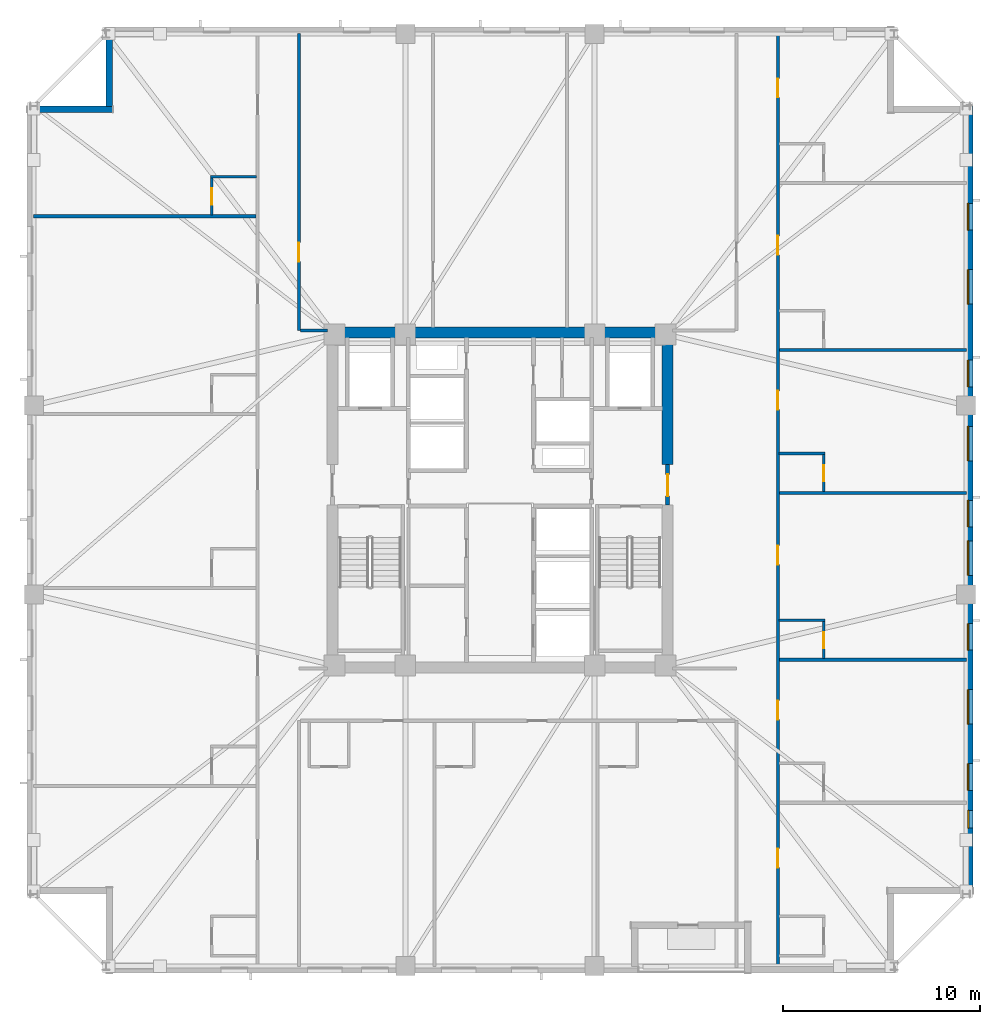
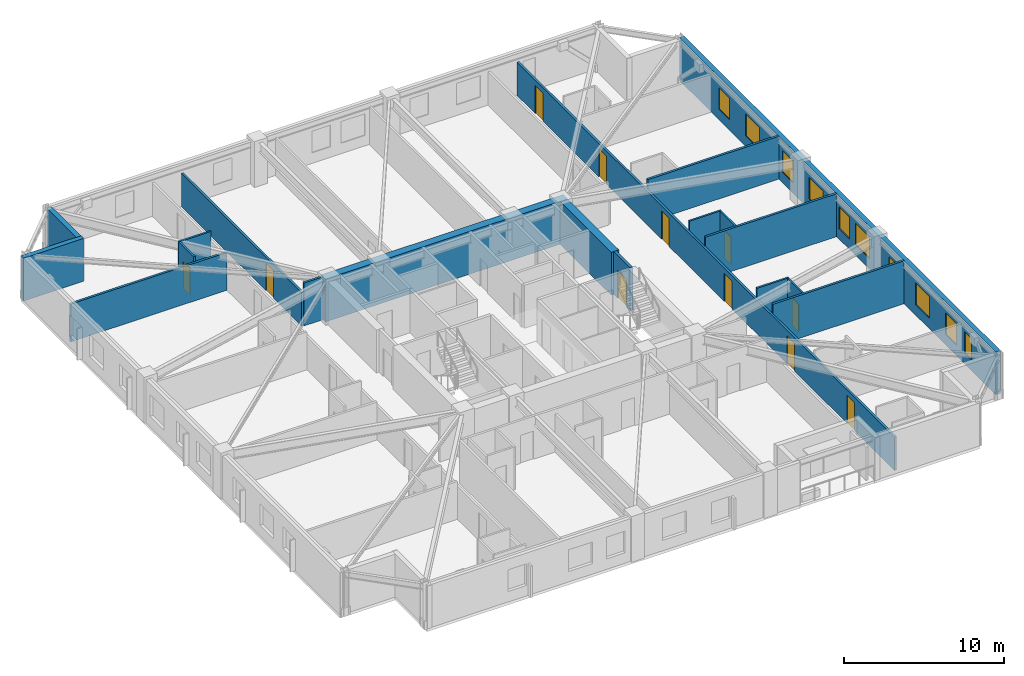
# One storey, part 5 of 11: 19 walls, 11 doors, 10 windows, 21 openings.
"""IFC4 building model written with IfcOpenShell, lengths in metres."""

from ifc_helpers import new_model, si_unit, direction, frame, frame_2d, origin, place, context, subcontext, project, spatial, rectangle, extrude, material, layer, layer_set, type_object, element, fill, save


model = new_model("IFC4")

# Units and contexts
model_context = context("Model", 3, precision=1e-05, world=origin(), true_north=direction((0.0, 1.0)))
body_context = subcontext(model_context, "Body", "Model", "MODEL_VIEW")
ifc_project = project(units=[si_unit("LENGTHUNIT", "METRE"), si_unit("AREAUNIT", "SQUARE_METRE"), si_unit("VOLUMEUNIT", "CUBIC_METRE"), si_unit("PLANEANGLEUNIT", "RADIAN"), si_unit("MASSUNIT", "GRAM", prefix="KILO")], contexts=[model_context])

# Site, building, storey
site_placement = place(None, origin())
site = spatial("IfcSite", under=ifc_project, at=site_placement, CompositionType="ELEMENT")
building_placement = place(site_placement, origin())
building = spatial("IfcBuilding", under=site, at=building_placement, Name="Cairnveth Concourse Tower", CompositionType="ELEMENT")
storey_placement = place(building_placement, frame((0.0, 0.0, 169.0)))
storey = spatial("IfcBuildingStorey", under=building, at=storey_placement, Name="L46", CompositionType="ELEMENT", Elevation=169.0)

# Wall, opening, door
ifc_material_1 = material(Name="Gypsum Plasterboard Partition", Category="gypsum")
ifc_layer_1 = layer(ifc_material_1, 0.159912109375)
ifc_layer_set_1 = layer_set([ifc_layer_1], Name="Gypsum Plasterboard Partition")
wall_type_1 = type_object("IfcWallType", Name="ACOUSTIC PARTY WALL 180", PredefinedType="PARTITIONING", material=ifc_layer_set_1)
wall_1_placement = place(storey_placement, frame((41.800048828125, 47.60009765625, 0.0), z_axis=(0.0, 0.0, 1.0), x_axis=(0.0, 1.0, 0.0)))
wall_1 = element("IfcWall", 1, at=wall_1_placement, inside=storey, type_object=wall_type_1, Name="Interior Wall IW-L46-039", PredefinedType="PARTITIONING", context=body_context, shape_type="SweptSolid", body=[
    extrude(rectangle(XDim=15.074951171875, YDim=0.159912109375, at=frame_2d((7.53759765625, 0.0))), origin(), (0.0, 0.0, 1.0), 2.554931640625),
])
opening_1_placement = place(wall_1_placement, frame((3.5, 0.0, 0.0)))
opening_1 = element("IfcOpeningElement", 2, at=opening_1_placement, cuts=wall_1, Name="Opening ID11", PredefinedType="OPENING", context=body_context, shape_type="SweptSolid", body=[
    extrude(rectangle(XDim=0.9599609375, YDim=2.1201171875, at=frame_2d((0.47998046875, 1.06005859375))), frame((0.0, 0.08984375, 0.0), z_axis=(0.0, -1.0, 0.0), x_axis=(1.0, 0.0, 0.0)), (0.0, 0.0, 1.0), 0.179931640625),
])
ifc_material_2 = material(Name="Solid Core Hardwood Timber Leaf", Category="wood")
door_type_1 = type_object("IfcDoorType", Name="INTERIOR SINGLE DOOR 960X2150", OperationType="NOTDEFINED", PredefinedType="DOOR", material=ifc_material_2)
door_1_placement = place(opening_1_placement, origin())
door_1 = element("IfcDoor", 3, at=door_1_placement, inside=storey, type_object=door_type_1, Name="Interior Door DR-L46-016", OperationType="SINGLE_SWING_RIGHT", OverallHeight=2.1201171875, OverallWidth=0.9599609375, PredefinedType="DOOR", context=body_context, shape_type="SweptSolid", body=[
    extrude(rectangle(XDim=0.9599609375, YDim=2.1201171875, at=frame_2d((0.47998046875, 1.06005859375))), frame((0.0, 0.02490234375, 0.0), z_axis=(0.0, -1.0, 0.0), x_axis=(1.0, 0.0, 0.0)), (0.0, 0.0, 1.0), 0.050048828125),
])
fill(opening_1, door_1)

# Wall
wall_2_placement = place(storey_placement, frame((41.864990234375, 47.60009765625, 0.0), z_axis=(0.0, 0.0, 1.0), x_axis=(1.0, 0.0, 0.0)))
element("IfcWall", 4, at=wall_2_placement, inside=storey, type_object=wall_type_1, Name="Interior Wall IW-L46-041", PredefinedType="PARTITIONING", context=body_context, shape_type="SweptSolid", body=[
    extrude(rectangle(XDim=1.3701171875, YDim=0.159912109375, at=frame_2d((0.68505859375, 0.0))), origin(), (0.0, 0.0, 1.0), 3.280029296875),
])

# Wall, openings, doors
wall_3_placement = place(storey_placement, frame((66.10009765625, 15.324951171875, 0.0), z_axis=(0.0, 0.0, 1.0), x_axis=(0.0, 1.0, 0.0)))
wall_3 = element("IfcWall", 5, at=wall_3_placement, inside=storey, type_object=wall_type_1, Name="Interior Wall IW-L46-042", PredefinedType="PARTITIONING", context=body_context, shape_type="SweptSolid", body=[
    extrude(rectangle(XDim=47.35009765625, YDim=0.159912109375, at=frame_2d((23.675048828125, 0.0))), origin(), (0.0, 0.0, 1.0), 2.554931640625),
])
opening_2_placement = place(wall_3_placement, frame((5.024658203125, 0.0, 0.0)))
opening_2 = element("IfcOpeningElement", 6, at=opening_2_placement, cuts=wall_3, Name="Opening ID09", PredefinedType="OPENING", context=body_context, shape_type="SweptSolid", body=[
    extrude(rectangle(XDim=0.9599609375, YDim=2.14990234375, at=frame_2d((0.47998046875, 1.074951171875))), frame((0.0, 0.08984375, 0.0), z_axis=(0.0, -1.0, 0.0), x_axis=(1.0, 0.0, 0.0)), (0.0, 0.0, 1.0), 0.179931640625),
])
opening_3_placement = place(wall_3_placement, frame((12.535400390625, 0.0, 0.0)))
opening_3 = element("IfcOpeningElement", 7, at=opening_3_placement, cuts=wall_3, Name="Opening ID09", PredefinedType="OPENING", context=body_context, shape_type="SweptSolid", body=[
    extrude(rectangle(XDim=0.9599609375, YDim=2.14990234375, at=frame_2d((0.47998046875, 1.074951171875))), frame((0.0, 0.08984375, 0.0), z_axis=(0.0, -1.0, 0.0), x_axis=(1.0, 0.0, 0.0)), (0.0, 0.0, 1.0), 0.179931640625),
])
opening_4_placement = place(wall_3_placement, frame((20.395263671875, 0.0, 0.0)))
opening_4 = element("IfcOpeningElement", 8, at=opening_4_placement, cuts=wall_3, Name="Opening ID09", PredefinedType="OPENING", context=body_context, shape_type="SweptSolid", body=[
    extrude(rectangle(XDim=0.9599609375, YDim=2.14990234375, at=frame_2d((0.47998046875, 1.074951171875))), frame((0.0, 0.08984375, 0.0), z_axis=(0.0, -1.0, 0.0), x_axis=(1.0, 0.0, 0.0)), (0.0, 0.0, 1.0), 0.179931640625),
])
opening_5_placement = place(wall_3_placement, frame((28.255126953125, 0.0, 0.0)))
opening_5 = element("IfcOpeningElement", 9, at=opening_5_placement, cuts=wall_3, Name="Opening ID09", PredefinedType="OPENING", context=body_context, shape_type="SweptSolid", body=[
    extrude(rectangle(XDim=0.9599609375, YDim=2.14990234375, at=frame_2d((0.47998046875, 1.074951171875))), frame((0.0, 0.08984375, 0.0), z_axis=(0.0, -1.0, 0.0), x_axis=(1.0, 0.0, 0.0)), (0.0, 0.0, 1.0), 0.179931640625),
])
opening_6_placement = place(wall_3_placement, frame((36.115234375, 0.0, 0.0)))
opening_6 = element("IfcOpeningElement", 10, at=opening_6_placement, cuts=wall_3, Name="Opening ID09", PredefinedType="OPENING", context=body_context, shape_type="SweptSolid", body=[
    extrude(rectangle(XDim=0.9599609375, YDim=2.14990234375, at=frame_2d((0.47998046875, 1.074951171875))), frame((0.0, 0.08984375, 0.0), z_axis=(0.0, -1.0, 0.0), x_axis=(1.0, 0.0, 0.0)), (0.0, 0.0, 1.0), 0.179931640625),
])
opening_7_placement = place(wall_3_placement, frame((44.099609375, 0.0, 0.0)))
opening_7 = element("IfcOpeningElement", 11, at=opening_7_placement, cuts=wall_3, Name="Opening ID09", PredefinedType="OPENING", context=body_context, shape_type="SweptSolid", body=[
    extrude(rectangle(XDim=0.9599609375, YDim=2.14990234375, at=frame_2d((0.47998046875, 1.074951171875))), frame((0.0, 0.08984375, 0.0), z_axis=(0.0, -1.0, 0.0), x_axis=(1.0, 0.0, 0.0)), (0.0, 0.0, 1.0), 0.179931640625),
])
door_type_2 = type_object("IfcDoorType", Name="HOTEL ENTRANCE DOOR 960X2150", OperationType="NOTDEFINED", PredefinedType="DOOR", material=ifc_material_2)
door_2_placement = place(opening_2_placement, origin())
door_2 = element("IfcDoor", 12, at=door_2_placement, inside=storey, type_object=door_type_2, Name="Hotel Room Door L46-E1", OperationType="SINGLE_SWING_RIGHT", OverallHeight=2.14990234375, OverallWidth=0.9599609375, PredefinedType="DOOR", context=body_context, shape_type="SweptSolid", body=[
    extrude(rectangle(XDim=0.9599609375, YDim=2.14990234375, at=frame_2d((0.47998046875, 1.074951171875))), frame((0.0, 0.02490234375, 0.0), z_axis=(0.0, -1.0, 0.0), x_axis=(1.0, 0.0, 0.0)), (0.0, 0.0, 1.0), 0.050048828125),
])
fill(opening_2, door_2)
door_3_placement = place(opening_3_placement, origin())
door_3 = element("IfcDoor", 13, at=door_3_placement, inside=storey, type_object=door_type_2, Name="Hotel Room Door L46-E2", OperationType="SINGLE_SWING_RIGHT", OverallHeight=2.14990234375, OverallWidth=0.9599609375, PredefinedType="DOOR", context=body_context, shape_type="SweptSolid", body=[
    extrude(rectangle(XDim=0.9599609375, YDim=2.14990234375, at=frame_2d((0.47998046875, 1.074951171875))), frame((0.0, 0.02490234375, 0.0), z_axis=(0.0, -1.0, 0.0), x_axis=(1.0, 0.0, 0.0)), (0.0, 0.0, 1.0), 0.050048828125),
])
fill(opening_3, door_3)
door_4_placement = place(opening_4_placement, origin())
door_4 = element("IfcDoor", 14, at=door_4_placement, inside=storey, type_object=door_type_2, Name="Hotel Room Door L46-E3", OperationType="SINGLE_SWING_RIGHT", OverallHeight=2.14990234375, OverallWidth=0.9599609375, PredefinedType="DOOR", context=body_context, shape_type="SweptSolid", body=[
    extrude(rectangle(XDim=0.9599609375, YDim=2.14990234375, at=frame_2d((0.47998046875, 1.074951171875))), frame((0.0, 0.02490234375, 0.0), z_axis=(0.0, -1.0, 0.0), x_axis=(1.0, 0.0, 0.0)), (0.0, 0.0, 1.0), 0.050048828125),
])
fill(opening_4, door_4)
door_5_placement = place(opening_5_placement, origin())
door_5 = element("IfcDoor", 15, at=door_5_placement, inside=storey, type_object=door_type_2, Name="Hotel Room Door L46-E4", OperationType="SINGLE_SWING_RIGHT", OverallHeight=2.14990234375, OverallWidth=0.9599609375, PredefinedType="DOOR", context=body_context, shape_type="SweptSolid", body=[
    extrude(rectangle(XDim=0.9599609375, YDim=2.14990234375, at=frame_2d((0.47998046875, 1.074951171875))), frame((0.0, 0.02490234375, 0.0), z_axis=(0.0, -1.0, 0.0), x_axis=(1.0, 0.0, 0.0)), (0.0, 0.0, 1.0), 0.050048828125),
])
fill(opening_5, door_5)
door_6_placement = place(opening_6_placement, origin())
door_6 = element("IfcDoor", 16, at=door_6_placement, inside=storey, type_object=door_type_2, Name="Hotel Room Door L46-E5", OperationType="SINGLE_SWING_RIGHT", OverallHeight=2.14990234375, OverallWidth=0.9599609375, PredefinedType="DOOR", context=body_context, shape_type="SweptSolid", body=[
    extrude(rectangle(XDim=0.9599609375, YDim=2.14990234375, at=frame_2d((0.47998046875, 1.074951171875))), frame((0.0, 0.02490234375, 0.0), z_axis=(0.0, -1.0, 0.0), x_axis=(1.0, 0.0, 0.0)), (0.0, 0.0, 1.0), 0.050048828125),
])
fill(opening_6, door_6)
door_7_placement = place(opening_7_placement, origin())
door_7 = element("IfcDoor", 17, at=door_7_placement, inside=storey, type_object=door_type_2, Name="Hotel Room Door L46-E6", OperationType="SINGLE_SWING_RIGHT", OverallHeight=2.14990234375, OverallWidth=0.9599609375, PredefinedType="DOOR", context=body_context, shape_type="SweptSolid", body=[
    extrude(rectangle(XDim=0.9599609375, YDim=2.14990234375, at=frame_2d((0.47998046875, 1.074951171875))), frame((0.0, 0.02490234375, 0.0), z_axis=(0.0, -1.0, 0.0), x_axis=(1.0, 0.0, 0.0)), (0.0, 0.0, 1.0), 0.050048828125),
])
fill(opening_7, door_7)

# Walls
wall_4_placement = place(storey_placement, frame((28.324951171875, 53.396484375, 0.0), z_axis=(0.0, 0.0, 1.0), x_axis=(1.0, 0.0, 0.0)))
element("IfcWall", 18, at=wall_4_placement, inside=storey, type_object=wall_type_1, Name="Interior Wall IW-L46-071", PredefinedType="PARTITIONING", context=body_context, shape_type="SweptSolid", body=[
    extrude(rectangle(XDim=11.295166015625, YDim=0.159912109375, at=frame_2d((5.6474609375, 0.0))), origin(), (0.0, 0.0, 1.0), 2.89599609375),
])
for number, where, z_axis, x_axis, name in (
    (19, (66.179931640625, 30.891357421875, 0.0), (0.0, 0.0, 1.0), (1.0, 0.0, 0.0), "Interior Wall IW-L46-080"),
    (20, (66.179931640625, 39.359130859375, 0.0), (0.0, 0.0, 1.0), (1.0, 0.0, 0.0), "Interior Wall IW-L46-083"),
    (21, (66.179931640625, 46.611328125, 0.0), (0.0, 0.0, 1.0), (1.0, 0.0, 0.0), "Interior Wall IW-L46-086"),
):
    element("IfcWall", number, at=place(storey_placement, frame(where, z_axis=z_axis, x_axis=x_axis)), inside=storey, type_object=wall_type_1, Name=name, PredefinedType="PARTITIONING", context=body_context, shape_type="SweptSolid", body=[
        extrude(rectangle(XDim=9.4951171875, YDim=0.159912109375, at=frame_2d((4.74755859375, 0.0))), origin(), (0.0, 0.0, 1.0), 3.280029296875),
    ])
ifc_material_3 = material(Name="Concrete N80 (80 MPa)", Category="concrete")
ifc_layer_2 = layer(ifc_material_3, 0.550048828125)
ifc_layer_set_2 = layer_set([ifc_layer_2], Name="Concrete N80 (80 MPa)")
wall_type_2 = type_object("IfcWallType", Name="CORE SHEAR WALL 550", PredefinedType="SHEAR", material=ifc_layer_set_2)
wall_5_placement = place(storey_placement, frame((43.22509765625, 47.5, 0.0), z_axis=(0.0, 0.0, 1.0), x_axis=(1.0, 0.0, 0.0)))
element("IfcWall", 22, at=wall_5_placement, inside=storey, type_object=wall_type_2, Name="Core North Shear Wall L46", PredefinedType="SHEAR", context=body_context, shape_type="SweptSolid", body=[
    extrude(rectangle(XDim=17.5498046875, YDim=0.550048828125, at=frame_2d((8.77490234375, 0.0))), origin(), (0.0, 0.0, 1.0), 3.280029296875),
])
wall_6_placement = place(storey_placement, frame((60.5, 40.800048828125, 0.0), z_axis=(0.0, 0.0, 1.0), x_axis=(0.0, 1.0, 0.0)))
element("IfcWall", 23, at=wall_6_placement, inside=storey, type_object=wall_type_2, Name="Core East Shear Wall N L46", PredefinedType="SHEAR", context=body_context, shape_type="SweptSolid", body=[
    extrude(rectangle(XDim=6.43505859375, YDim=0.550048828125, at=frame_2d((3.217529296875, 0.0))), origin(), (0.0, 0.0, 1.0), 3.280029296875),
])

# Wall, opening, door
ifc_material_4 = material(Name="Concrete N50 (50 MPa)", Category="concrete")
ifc_layer_3 = layer(ifc_material_4, 0.199951171875)
ifc_layer_set_3 = layer_set([ifc_layer_3], Name="Concrete N50 (50 MPa)")
wall_type_3 = type_object("IfcWallType", Name="FIRE SHAFT WALL 200", PredefinedType="SOLIDWALL", material=ifc_layer_set_3)
wall_7_placement = place(storey_placement, frame((60.5, 38.75, 0.0), z_axis=(0.0, 0.0, 1.0), x_axis=(0.0, 1.0, 0.0)))
wall_7 = element("IfcWall", 24, at=wall_7_placement, inside=storey, type_object=wall_type_3, Name="Interior Wall IW-L46-020", PredefinedType="SOLIDWALL", context=body_context, shape_type="SweptSolid", body=[
    extrude(rectangle(XDim=2.050048828125, YDim=0.199951171875, at=frame_2d((1.02490234375, 0.0))), origin(), (0.0, 0.0, 1.0), 3.280029296875),
])
opening_8_placement = place(wall_7_placement, frame((0.449951171875, 0.0, 0.0)))
opening_8 = element("IfcOpeningElement", 25, at=opening_8_placement, cuts=wall_7, Name="Opening ID06", PredefinedType="OPENING", context=body_context, shape_type="SweptSolid", body=[
    extrude(rectangle(XDim=1.10009765625, YDim=2.14990234375, at=frame_2d((0.550048828125, 1.074951171875))), frame((0.0, 0.10986328125, 0.0), z_axis=(0.0, -1.0, 0.0), x_axis=(1.0, 0.0, 0.0)), (0.0, 0.0, 1.0), 0.219970703125),
])
ifc_material_5 = material(Name="Steel Grade 350", Category="steel")
door_type_3 = type_object("IfcDoorType", Name="FIRE CORRIDOR DOOR 1100X2150", OperationType="NOTDEFINED", PredefinedType="DOOR", material=ifc_material_5)
door_8_placement = place(opening_8_placement, origin())
door_8 = element("IfcDoor", 26, at=door_8_placement, inside=storey, type_object=door_type_3, Name="East Wing to FF Lobby Door L46", OperationType="SINGLE_SWING_RIGHT", OverallHeight=2.14990234375, OverallWidth=1.10009765625, PredefinedType="DOOR", context=body_context, shape_type="SweptSolid", body=[
    extrude(rectangle(XDim=1.10009765625, YDim=2.14990234375, at=frame_2d((0.550048828125, 1.074951171875))), frame((0.0, 0.02490234375, 0.0), z_axis=(0.0, -1.0, 0.0), x_axis=(1.0, 0.0, 0.0)), (0.0, 0.0, 1.0), 0.050048828125),
])
fill(opening_8, door_8)

# Wall
ifc_layer_4 = layer(ifc_material_1, 0.1298828125)
ifc_layer_set_4 = layer_set([ifc_layer_4], Name="Gypsum Plasterboard Partition")
wall_type_4 = type_object("IfcWallType", Name="WET AREA PARTITION 140", PredefinedType="PLUMBINGWALL", material=ifc_layer_set_4)
wall_8_placement = place(storey_placement, frame((37.320068359375, 55.396484375, 0.0), z_axis=(0.0, 0.0, 1.0), x_axis=(1.0, 0.0, 0.0)))
element("IfcWall", 27, at=wall_8_placement, inside=storey, type_object=wall_type_4, Name="Interior Wall IW-L46-072", PredefinedType="PLUMBINGWALL", context=body_context, shape_type="SweptSolid", body=[
    extrude(rectangle(XDim=2.31494140625, YDim=0.1298828125, at=frame_2d((1.157470703125, 0.0))), origin(), (0.0, 0.0, 1.0), 3.280029296875),
])

# Wall, opening, door
wall_9_placement = place(storey_placement, frame((37.3701171875, 53.461669921875, 0.0), z_axis=(0.0, 0.0, 1.0), x_axis=(0.0, 1.0, 0.0)))
wall_9 = element("IfcWall", 28, at=wall_9_placement, inside=storey, type_object=wall_type_4, Name="Interior Wall IW-L46-073", PredefinedType="PLUMBINGWALL", context=body_context, shape_type="SweptSolid", body=[
    extrude(rectangle(XDim=1.885009765625, YDim=0.1298828125, at=frame_2d((0.9423828125, 0.0))), origin(), (0.0, 0.0, 1.0), 3.280029296875),
])
opening_9_placement = place(wall_9_placement, frame((0.52490234375, 0.0, 0.0)))
opening_9 = element("IfcOpeningElement", 29, at=opening_9_placement, cuts=wall_9, Name="Opening ID22", PredefinedType="OPENING", context=body_context, shape_type="SweptSolid", body=[
    extrude(rectangle(XDim=0.820068359375, YDim=2.10009765625, at=frame_2d((0.41015625, 1.050048828125))), frame((0.0, 0.074951171875, 0.0), z_axis=(0.0, -1.0, 0.0), x_axis=(1.0, 0.0, 0.0)), (0.0, 0.0, 1.0), 0.14990234375),
])
door_type_4 = type_object("IfcDoorType", Name="INTERIOR WC DOOR 820X2100", OperationType="NOTDEFINED", PredefinedType="DOOR", material=ifc_material_2)
door_9_placement = place(opening_9_placement, origin())
door_9 = element("IfcDoor", 30, at=door_9_placement, inside=storey, type_object=door_type_4, Name="En-Suite Door L46-W5", OperationType="SINGLE_SWING_LEFT", OverallHeight=2.10009765625, OverallWidth=0.820068359375, PredefinedType="DOOR", context=body_context, shape_type="SweptSolid", body=[
    extrude(rectangle(XDim=0.820068359375, YDim=2.10009765625, at=frame_2d((0.41015625, 1.050048828125))), frame((0.0, 0.02490234375, 0.0), z_axis=(0.0, -1.0, 0.0), x_axis=(1.0, 0.0, 0.0)), (0.0, 0.0, 1.0), 0.050048828125),
])
fill(opening_9, door_9)

# Wall
wall_10_placement = place(storey_placement, frame((66.1650390625, 32.891357421875, 0.0), z_axis=(0.0, 0.0, 1.0), x_axis=(1.0, 0.0, 0.0)))
element("IfcWall", 31, at=wall_10_placement, inside=storey, type_object=wall_type_4, Name="Interior Wall IW-L46-081", PredefinedType="PLUMBINGWALL", context=body_context, shape_type="SweptSolid", body=[
    extrude(rectangle(XDim=2.31494140625, YDim=0.1298828125, at=frame_2d((1.157470703125, 0.0))), origin(), (0.0, 0.0, 1.0), 3.280029296875),
])

# Wall, opening, door
wall_11_placement = place(storey_placement, frame((68.429931640625, 30.956298828125, 0.0), z_axis=(0.0, 0.0, 1.0), x_axis=(0.0, 1.0, 0.0)))
wall_11 = element("IfcWall", 32, at=wall_11_placement, inside=storey, type_object=wall_type_4, Name="Interior Wall IW-L46-082", PredefinedType="PLUMBINGWALL", context=body_context, shape_type="SweptSolid", body=[
    extrude(rectangle(XDim=1.885009765625, YDim=0.1298828125, at=frame_2d((0.9423828125, 0.0))), origin(), (0.0, 0.0, 1.0), 3.280029296875),
])
opening_10_placement = place(wall_11_placement, frame((0.52490234375, 0.0, 0.0)))
opening_10 = element("IfcOpeningElement", 33, at=opening_10_placement, cuts=wall_11, Name="Opening ID22", PredefinedType="OPENING", context=body_context, shape_type="SweptSolid", body=[
    extrude(rectangle(XDim=0.820068359375, YDim=2.10009765625, at=frame_2d((0.41015625, 1.050048828125))), frame((0.0, 0.074951171875, 0.0), z_axis=(0.0, -1.0, 0.0), x_axis=(1.0, 0.0, 0.0)), (0.0, 0.0, 1.0), 0.14990234375),
])
door_10_placement = place(opening_10_placement, origin())
door_10 = element("IfcDoor", 34, at=door_10_placement, inside=storey, type_object=door_type_4, Name="En-Suite Door L46-E3", OperationType="SINGLE_SWING_LEFT", OverallHeight=2.10009765625, OverallWidth=0.820068359375, PredefinedType="DOOR", context=body_context, shape_type="SweptSolid", body=[
    extrude(rectangle(XDim=0.820068359375, YDim=2.10009765625, at=frame_2d((0.41015625, 1.050048828125))), frame((0.0, 0.02490234375, 0.0), z_axis=(0.0, -1.0, 0.0), x_axis=(1.0, 0.0, 0.0)), (0.0, 0.0, 1.0), 0.050048828125),
])
fill(opening_10, door_10)

# Wall
wall_12_placement = place(storey_placement, frame((66.1650390625, 41.359130859375, 0.0), z_axis=(0.0, 0.0, 1.0), x_axis=(1.0, 0.0, 0.0)))
element("IfcWall", 35, at=wall_12_placement, inside=storey, type_object=wall_type_4, Name="Interior Wall IW-L46-084", PredefinedType="PLUMBINGWALL", context=body_context, shape_type="SweptSolid", body=[
    extrude(rectangle(XDim=2.31494140625, YDim=0.1298828125, at=frame_2d((1.157470703125, 0.0))), origin(), (0.0, 0.0, 1.0), 3.280029296875),
])

# Wall, opening, door
wall_13_placement = place(storey_placement, frame((68.429931640625, 39.424072265625, 0.0), z_axis=(0.0, 0.0, 1.0), x_axis=(0.0, 1.0, 0.0)))
wall_13 = element("IfcWall", 36, at=wall_13_placement, inside=storey, type_object=wall_type_4, Name="Interior Wall IW-L46-085", PredefinedType="PLUMBINGWALL", context=body_context, shape_type="SweptSolid", body=[
    extrude(rectangle(XDim=1.885009765625, YDim=0.1298828125, at=frame_2d((0.9423828125, 0.0))), origin(), (0.0, 0.0, 1.0), 3.280029296875),
])
opening_11_placement = place(wall_13_placement, frame((0.52490234375, 0.0, 0.0)))
opening_11 = element("IfcOpeningElement", 37, at=opening_11_placement, cuts=wall_13, Name="Opening ID22", PredefinedType="OPENING", context=body_context, shape_type="SweptSolid", body=[
    extrude(rectangle(XDim=0.820068359375, YDim=2.10009765625, at=frame_2d((0.41015625, 1.050048828125))), frame((0.0, 0.074951171875, 0.0), z_axis=(0.0, -1.0, 0.0), x_axis=(1.0, 0.0, 0.0)), (0.0, 0.0, 1.0), 0.14990234375),
])
door_11_placement = place(opening_11_placement, origin())
door_11 = element("IfcDoor", 38, at=door_11_placement, inside=storey, type_object=door_type_4, Name="En-Suite Door L46-E4", OperationType="SINGLE_SWING_LEFT", OverallHeight=2.10009765625, OverallWidth=0.820068359375, PredefinedType="DOOR", context=body_context, shape_type="SweptSolid", body=[
    extrude(rectangle(XDim=0.820068359375, YDim=2.10009765625, at=frame_2d((0.41015625, 1.050048828125))), frame((0.0, 0.02490234375, 0.0), z_axis=(0.0, -1.0, 0.0), x_axis=(1.0, 0.0, 0.0)), (0.0, 0.0, 1.0), 0.050048828125),
])
fill(opening_11, door_11)

# Walls
ifc_material_6 = material(Name="Hawthorn Red-Ochre Fired Clay Brick Masonry", Category="masonry")
ifc_layer_5 = layer(ifc_material_6, 0.340087890625)
ifc_layer_set_5 = layer_set([ifc_layer_5], Name="Hawthorn Red-Ochre Fired Clay Brick Masonry")
wall_type_5 = type_object("IfcWallType", Name="ZONE 2 BRICK PIER SPANDREL WALL 340", PredefinedType="SOLIDWALL", material=ifc_layer_set_5)
wall_14_placement = place(storey_placement, frame((28.0, 58.830078125, 0.0), z_axis=(0.0, 0.0, 1.0), x_axis=(1.0, 0.0, 0.0)))
element("IfcWall", 39, at=wall_14_placement, inside=storey, type_object=wall_type_5, Name="Exterior Wall EW-L46-S04", PredefinedType="SOLIDWALL", context=body_context, shape_type="SweptSolid", body=[
    extrude(rectangle(XDim=4.340087890625, YDim=0.340087890625, at=frame_2d((2.169921875, 0.0))), origin(), (0.0, 0.0, 1.0), 3.280029296875),
])
wall_15_placement = place(storey_placement, frame((32.169921875, 58.97802734375, 0.0), z_axis=(0.0, 0.0, 1.0), x_axis=(0.0, 1.0, 0.0)))
element("IfcWall", 40, at=wall_15_placement, inside=storey, type_object=wall_type_5, Name="Exterior Wall EW-L46-S05", PredefinedType="SOLIDWALL", context=body_context, shape_type="SweptSolid", body=[
    extrude(rectangle(XDim=3.703857421875, YDim=0.340087890625, at=frame_2d((1.85205078125, 0.0))), origin(), (0.0, 0.0, 1.0), 3.280029296875),
])

# Wall, openings, windows
wall_16_placement = place(storey_placement, frame((75.830078125, 59.0, 0.0), z_axis=(0.0, 0.0, 1.0), x_axis=(0.0, -1.0, 0.0)))
wall_16 = element("IfcWall", 41, at=wall_16_placement, inside=storey, type_object=wall_type_5, Name="Exterior Wall EW-L46-S09", PredefinedType="SOLIDWALL", context=body_context, shape_type="SweptSolid", body=[
    extrude(rectangle(XDim=39.681884765625, YDim=0.340087890625, at=frame_2d((19.8408203125, 0.0))), origin(), (0.0, 0.0, 1.0), 3.280029296875),
])
opening_12_placement = place(wall_16_placement, frame((4.951904296875, 0.0, 0.800048828125)))
opening_12 = element("IfcOpeningElement", 42, at=opening_12_placement, cuts=wall_16, Name="Opening W02", PredefinedType="OPENING", context=body_context, shape_type="SweptSolid", body=[
    extrude(rectangle(XDim=1.35009765625, YDim=1.659912109375, at=frame_2d((0.675048828125, 0.830078125))), frame((0.0, 0.179931640625, 0.0), z_axis=(0.0, -1.0, 0.0), x_axis=(1.0, 0.0, 0.0)), (0.0, 0.0, 1.0), 0.360107421875),
])
opening_13_placement = place(wall_16_placement, frame((8.305419921875, 0.0, 0.800048828125)))
opening_13 = element("IfcOpeningElement", 43, at=opening_13_placement, cuts=wall_16, Name="Opening W06", PredefinedType="OPENING", context=body_context, shape_type="SweptSolid", body=[
    extrude(rectangle(XDim=1.75, YDim=1.659912109375, at=frame_2d((0.875, 0.830078125))), frame((0.0, 0.179931640625, 0.0), z_axis=(0.0, -1.0, 0.0), x_axis=(1.0, 0.0, 0.0)), (0.0, 0.0, 1.0), 0.360107421875),
])
opening_14_placement = place(wall_16_placement, frame((12.908935546875, 0.0, 0.800048828125)))
opening_14 = element("IfcOpeningElement", 44, at=opening_14_placement, cuts=wall_16, Name="Opening W02", PredefinedType="OPENING", context=body_context, shape_type="SweptSolid", body=[
    extrude(rectangle(XDim=1.35009765625, YDim=1.659912109375, at=frame_2d((0.675048828125, 0.830078125))), frame((0.0, 0.179931640625, 0.0), z_axis=(0.0, -1.0, 0.0), x_axis=(1.0, 0.0, 0.0)), (0.0, 0.0, 1.0), 0.360107421875),
])
opening_15_placement = place(wall_16_placement, frame((16.262451171875, 0.0, 0.800048828125)))
opening_15 = element("IfcOpeningElement", 45, at=opening_15_placement, cuts=wall_16, Name="Opening W06", PredefinedType="OPENING", context=body_context, shape_type="SweptSolid", body=[
    extrude(rectangle(XDim=1.75, YDim=1.659912109375, at=frame_2d((0.875, 0.830078125))), frame((0.0, 0.179931640625, 0.0), z_axis=(0.0, -1.0, 0.0), x_axis=(1.0, 0.0, 0.0)), (0.0, 0.0, 1.0), 0.360107421875),
])
opening_16_placement = place(wall_16_placement, frame((20.01611328125, 0.0, 0.800048828125)))
opening_16 = element("IfcOpeningElement", 46, at=opening_16_placement, cuts=wall_16, Name="Opening W02", PredefinedType="OPENING", context=body_context, shape_type="SweptSolid", body=[
    extrude(rectangle(XDim=1.35009765625, YDim=1.659912109375, at=frame_2d((0.675048828125, 0.830078125))), frame((0.0, 0.179931640625, 0.0), z_axis=(0.0, -1.0, 0.0), x_axis=(1.0, 0.0, 0.0)), (0.0, 0.0, 1.0), 0.360107421875),
])
opening_17_placement = place(wall_16_placement, frame((22.069580078125, 0.0, 0.800048828125)))
opening_17 = element("IfcOpeningElement", 47, at=opening_17_placement, cuts=wall_16, Name="Opening W06", PredefinedType="OPENING", context=body_context, shape_type="SweptSolid", body=[
    extrude(rectangle(XDim=1.75, YDim=1.659912109375, at=frame_2d((0.875, 0.830078125))), frame((0.0, 0.179931640625, 0.0), z_axis=(0.0, -1.0, 0.0), x_axis=(1.0, 0.0, 0.0)), (0.0, 0.0, 1.0), 0.360107421875),
])
opening_18_placement = place(wall_16_placement, frame((26.273193359375, 0.0, 0.800048828125)))
opening_18 = element("IfcOpeningElement", 48, at=opening_18_placement, cuts=wall_16, Name="Opening W02", PredefinedType="OPENING", context=body_context, shape_type="SweptSolid", body=[
    extrude(rectangle(XDim=1.35009765625, YDim=1.659912109375, at=frame_2d((0.675048828125, 0.830078125))), frame((0.0, 0.179931640625, 0.0), z_axis=(0.0, -1.0, 0.0), x_axis=(1.0, 0.0, 0.0)), (0.0, 0.0, 1.0), 0.360107421875),
])
opening_19_placement = place(wall_16_placement, frame((29.626708984375, 0.0, 0.800048828125)))
opening_19 = element("IfcOpeningElement", 49, at=opening_19_placement, cuts=wall_16, Name="Opening W06", PredefinedType="OPENING", context=body_context, shape_type="SweptSolid", body=[
    extrude(rectangle(XDim=1.75, YDim=1.659912109375, at=frame_2d((0.875, 0.830078125))), frame((0.0, 0.179931640625, 0.0), z_axis=(0.0, -1.0, 0.0), x_axis=(1.0, 0.0, 0.0)), (0.0, 0.0, 1.0), 0.360107421875),
])
opening_20_placement = place(wall_16_placement, frame((33.380126953125, 0.0, 0.800048828125)))
opening_20 = element("IfcOpeningElement", 50, at=opening_20_placement, cuts=wall_16, Name="Opening W02", PredefinedType="OPENING", context=body_context, shape_type="SweptSolid", body=[
    extrude(rectangle(XDim=1.35009765625, YDim=1.659912109375, at=frame_2d((0.675048828125, 0.830078125))), frame((0.0, 0.179931640625, 0.0), z_axis=(0.0, -1.0, 0.0), x_axis=(1.0, 0.0, 0.0)), (0.0, 0.0, 1.0), 0.360107421875),
])
opening_21_placement = place(wall_16_placement, frame((35.75, 0.0, 0.800048828125)))
opening_21 = element("IfcOpeningElement", 51, at=opening_21_placement, cuts=wall_16, Name="Opening W13", PredefinedType="OPENING", context=body_context, shape_type="SweptSolid", body=[
    extrude(rectangle(XDim=0.89990234375, YDim=1.659912109375, at=frame_2d((0.449951171875, 0.830078125))), frame((0.0, 0.179931640625, 0.0), z_axis=(0.0, -1.0, 0.0), x_axis=(1.0, 0.0, 0.0)), (0.0, 0.0, 1.0), 0.360107421875),
])
ifc_material_7 = material(Name="Double Glazed Low-E Clear Glass", Category="glass")
window_type_1 = type_object("IfcWindowType", Name="DEEP-SET BEDROOM LANCET WINDOW 900X1750", PartitioningType="DOUBLE_PANEL_VERTICAL", PredefinedType="WINDOW", material=ifc_material_7)
window_1_placement = place(opening_21_placement, origin())
window_1 = element("IfcWindow", 52, at=window_1_placement, inside=storey, type_object=window_type_1, Name="Dwelling Lancet Window L46-DW1", OverallHeight=1.659912109375, OverallWidth=0.89990234375, PartitioningType="SINGLE_PANEL", PredefinedType="WINDOW", context=body_context, shape_type="SweptSolid", body=[
    extrude(rectangle(XDim=0.89990234375, YDim=1.659912109375, at=frame_2d((0.449951171875, 0.830078125))), frame((0.0, -0.0400390625, 0.0), z_axis=(0.0, -1.0, 0.0), x_axis=(1.0, 0.0, 0.0)), (0.0, 0.0, 1.0), 0.06005859375),
])
fill(opening_21, window_1)
window_type_2 = type_object("IfcWindowType", Name="DEEP-SET GOTHIC LANCET WINDOW 1350X1800", PartitioningType="DOUBLE_PANEL_VERTICAL", PredefinedType="WINDOW", material=ifc_material_7)
window_2_placement = place(opening_12_placement, origin())
window_2 = element("IfcWindow", 53, at=window_2_placement, inside=storey, type_object=window_type_2, Name="Gothic Lancet Window L46-9-1", OverallHeight=1.659912109375, OverallWidth=1.35009765625, PartitioningType="SINGLE_PANEL", PredefinedType="WINDOW", context=body_context, shape_type="SweptSolid", body=[
    extrude(rectangle(XDim=1.35009765625, YDim=1.659912109375, at=frame_2d((0.675048828125, 0.830078125))), frame((0.0, -0.050048828125, 0.0), z_axis=(0.0, -1.0, 0.0), x_axis=(1.0, 0.0, 0.0)), (0.0, 0.0, 1.0), 0.06005859375),
])
fill(opening_12, window_2)
window_3_placement = place(opening_14_placement, origin())
window_3 = element("IfcWindow", 54, at=window_3_placement, inside=storey, type_object=window_type_2, Name="Gothic Lancet Window L46-9-3", OverallHeight=1.659912109375, OverallWidth=1.35009765625, PartitioningType="SINGLE_PANEL", PredefinedType="WINDOW", context=body_context, shape_type="SweptSolid", body=[
    extrude(rectangle(XDim=1.35009765625, YDim=1.659912109375, at=frame_2d((0.675048828125, 0.830078125))), frame((0.0, -0.050048828125, 0.0), z_axis=(0.0, -1.0, 0.0), x_axis=(1.0, 0.0, 0.0)), (0.0, 0.0, 1.0), 0.06005859375),
])
fill(opening_14, window_3)
window_4_placement = place(opening_16_placement, origin())
window_4 = element("IfcWindow", 55, at=window_4_placement, inside=storey, type_object=window_type_2, Name="Gothic Lancet Window L46-9-5", OverallHeight=1.659912109375, OverallWidth=1.35009765625, PartitioningType="SINGLE_PANEL", PredefinedType="WINDOW", context=body_context, shape_type="SweptSolid", body=[
    extrude(rectangle(XDim=1.35009765625, YDim=1.659912109375, at=frame_2d((0.675048828125, 0.830078125))), frame((0.0, -0.050048828125, 0.0), z_axis=(0.0, -1.0, 0.0), x_axis=(1.0, 0.0, 0.0)), (0.0, 0.0, 1.0), 0.06005859375),
])
fill(opening_16, window_4)
window_5_placement = place(opening_18_placement, origin())
window_5 = element("IfcWindow", 56, at=window_5_placement, inside=storey, type_object=window_type_2, Name="Gothic Lancet Window L46-9-7", OverallHeight=1.659912109375, OverallWidth=1.35009765625, PartitioningType="SINGLE_PANEL", PredefinedType="WINDOW", context=body_context, shape_type="SweptSolid", body=[
    extrude(rectangle(XDim=1.35009765625, YDim=1.659912109375, at=frame_2d((0.675048828125, 0.830078125))), frame((0.0, -0.050048828125, 0.0), z_axis=(0.0, -1.0, 0.0), x_axis=(1.0, 0.0, 0.0)), (0.0, 0.0, 1.0), 0.06005859375),
])
fill(opening_18, window_5)
window_6_placement = place(opening_20_placement, origin())
window_6 = element("IfcWindow", 57, at=window_6_placement, inside=storey, type_object=window_type_2, Name="Gothic Lancet Window L46-9-9", OverallHeight=1.659912109375, OverallWidth=1.35009765625, PartitioningType="SINGLE_PANEL", PredefinedType="WINDOW", context=body_context, shape_type="SweptSolid", body=[
    extrude(rectangle(XDim=1.35009765625, YDim=1.659912109375, at=frame_2d((0.675048828125, 0.830078125))), frame((0.0, -0.050048828125, 0.0), z_axis=(0.0, -1.0, 0.0), x_axis=(1.0, 0.0, 0.0)), (0.0, 0.0, 1.0), 0.06005859375),
])
fill(opening_20, window_6)
window_type_3 = type_object("IfcWindowType", Name="DEEP-SET HOTEL SUITE WINDOW 1750X1800", PartitioningType="DOUBLE_PANEL_VERTICAL", PredefinedType="WINDOW", material=ifc_material_7)
window_7_placement = place(opening_13_placement, origin())
window_7 = element("IfcWindow", 58, at=window_7_placement, inside=storey, type_object=window_type_3, Name="Gothic Lancet Window L46-9-2", OverallHeight=1.659912109375, OverallWidth=1.75, PartitioningType="SINGLE_PANEL", PredefinedType="WINDOW", context=body_context, shape_type="SweptSolid", body=[
    extrude(rectangle(XDim=1.75, YDim=1.659912109375, at=frame_2d((0.875, 0.830078125))), frame((0.0, -0.050048828125, 0.0), z_axis=(0.0, -1.0, 0.0), x_axis=(1.0, 0.0, 0.0)), (0.0, 0.0, 1.0), 0.06005859375),
])
fill(opening_13, window_7)
window_8_placement = place(opening_15_placement, origin())
window_8 = element("IfcWindow", 59, at=window_8_placement, inside=storey, type_object=window_type_3, Name="Gothic Lancet Window L46-9-4", OverallHeight=1.659912109375, OverallWidth=1.75, PartitioningType="SINGLE_PANEL", PredefinedType="WINDOW", context=body_context, shape_type="SweptSolid", body=[
    extrude(rectangle(XDim=1.75, YDim=1.659912109375, at=frame_2d((0.875, 0.830078125))), frame((0.0, -0.050048828125, 0.0), z_axis=(0.0, -1.0, 0.0), x_axis=(1.0, 0.0, 0.0)), (0.0, 0.0, 1.0), 0.06005859375),
])
fill(opening_15, window_8)
window_9_placement = place(opening_17_placement, origin())
window_9 = element("IfcWindow", 60, at=window_9_placement, inside=storey, type_object=window_type_3, Name="Gothic Lancet Window L46-9-6", OverallHeight=1.659912109375, OverallWidth=1.75, PartitioningType="SINGLE_PANEL", PredefinedType="WINDOW", context=body_context, shape_type="SweptSolid", body=[
    extrude(rectangle(XDim=1.75, YDim=1.659912109375, at=frame_2d((0.875, 0.830078125))), frame((0.0, -0.050048828125, 0.0), z_axis=(0.0, -1.0, 0.0), x_axis=(1.0, 0.0, 0.0)), (0.0, 0.0, 1.0), 0.06005859375),
])
fill(opening_17, window_9)
window_10_placement = place(opening_19_placement, origin())
window_10 = element("IfcWindow", 61, at=window_10_placement, inside=storey, type_object=window_type_3, Name="Gothic Lancet Window L46-9-8", OverallHeight=1.659912109375, OverallWidth=1.75, PartitioningType="SINGLE_PANEL", PredefinedType="WINDOW", context=body_context, shape_type="SweptSolid", body=[
    extrude(rectangle(XDim=1.75, YDim=1.659912109375, at=frame_2d((0.875, 0.830078125))), frame((0.0, -0.050048828125, 0.0), z_axis=(0.0, -1.0, 0.0), x_axis=(1.0, 0.0, 0.0)), (0.0, 0.0, 1.0), 0.06005859375),
])
fill(opening_19, window_10)

save(model, "model.ifc")
